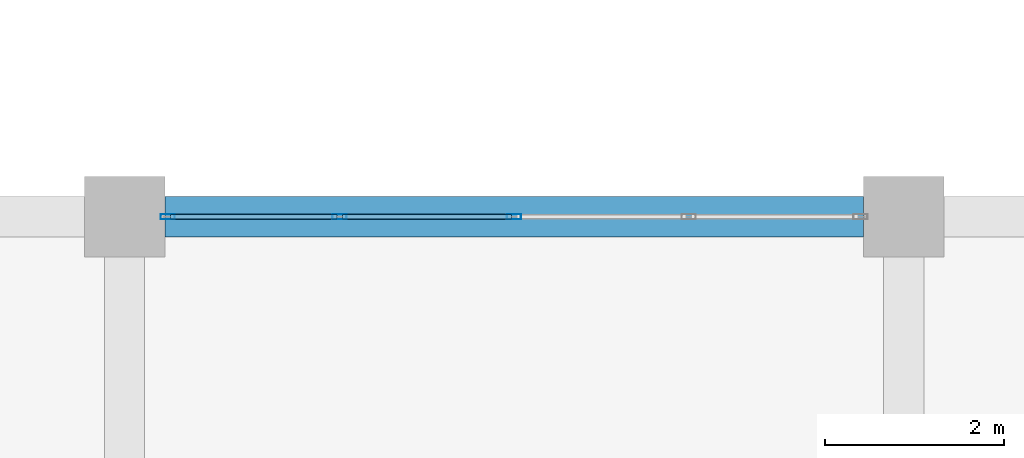
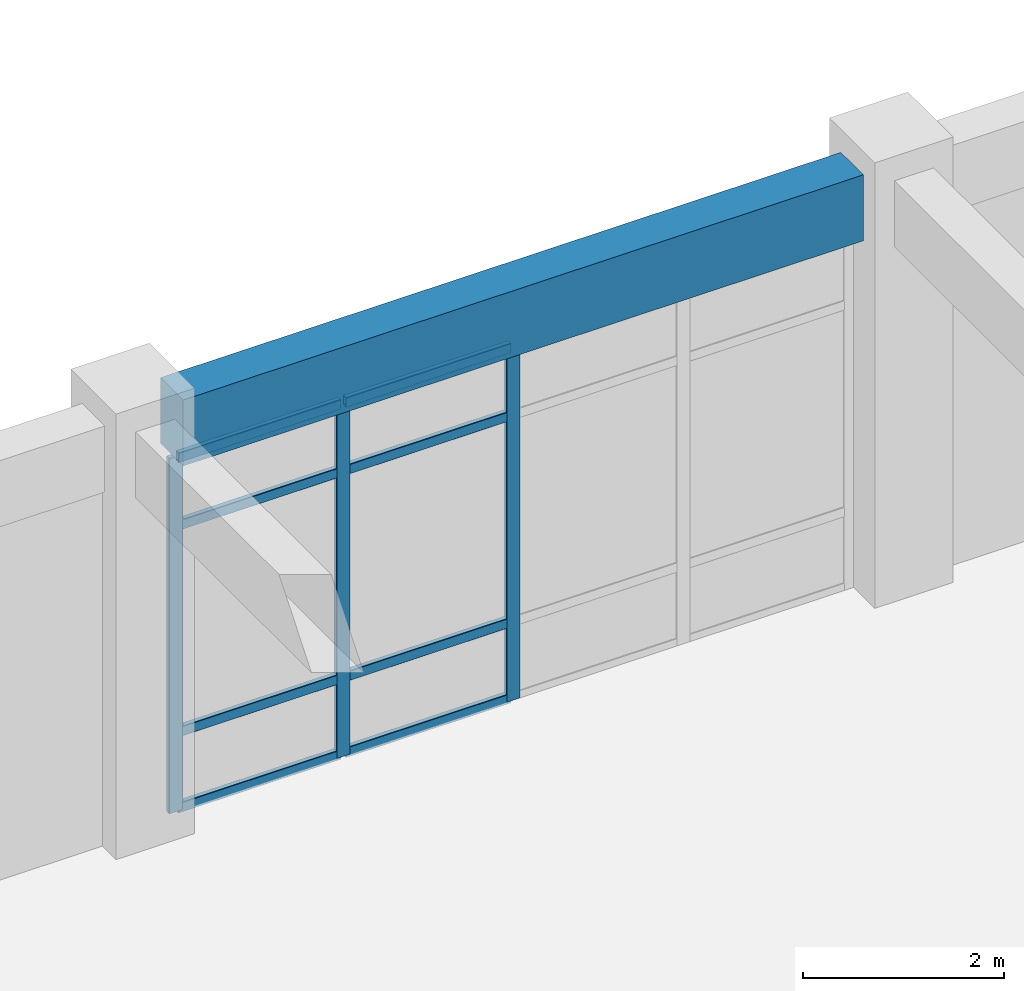
# One storey, part 61 of 114: 11 members, 1 beam, 1 element without a shape of its own.
"""IFC4 building model written with IfcOpenShell, lengths in metres."""

from ifc_helpers import new_model, si_unit, derived_unit, direction, frame, origin, origin_2d, place, context, subcontext, project, spatial, rectangle, hollow_rectangle, extrude, material, layer, layer_set, material_profile, profile_set, type_object, element, aggregate, save


model = new_model("IFC4")

# Units and contexts
model_context = context("Model", 3, precision=1e-05, world=origin(), true_north=direction((0.0, 1.0)))
body_context = subcontext(model_context, "Body", "Model", "MODEL_VIEW")
ifc_project = project(units=[si_unit("LENGTHUNIT", "METRE"), si_unit("AREAUNIT", "SQUARE_METRE"), si_unit("VOLUMEUNIT", "CUBIC_METRE"), si_unit("PLANEANGLEUNIT", "RADIAN"), si_unit("MASSUNIT", "GRAM", prefix="KILO"), derived_unit("THERMALTRANSMITTANCEUNIT", [(si_unit("MASSUNIT", "GRAM", prefix="KILO"), 1), (si_unit("TIMEUNIT", "SECOND"), -3), (si_unit("THERMODYNAMICTEMPERATUREUNIT", "KELVIN"), -1)])], contexts=[model_context])

# Site, building, storey
site_placement = place(None, origin())
site = spatial("IfcSite", under=ifc_project, at=site_placement, CompositionType="ELEMENT")
building_placement = place(site_placement, origin())
building = spatial("IfcBuilding", under=site, at=building_placement, Name="Qinzheling Arcade Emporium", CompositionType="ELEMENT")
storey_placement = place(building_placement, frame((0.0, 0.0, 6.0)))
storey = spatial("IfcBuildingStorey", under=building, at=storey_placement, Name="L02", CompositionType="ELEMENT", Elevation=6.0)

# Curtain wall, members
ifc_material_1 = material(Name="Anodised aluminium and solar-control double glazing", Category="aluminium")
ifc_layer = layer(ifc_material_1, 0.159912109375, Name="Anodised aluminium and solar-control double glazing", Category="aluminium")
ifc_layer_set = layer_set([ifc_layer], Name="Anodised aluminium and solar-control double glazing")
curtain_wall_type = type_object("IfcCurtainWallType", Name="Food Hall Loggia Curtain Wall", PredefinedType="NOTDEFINED", material=ifc_layer_set)
curtain_wall_placement = place(storey_placement, origin())
curtain_wall = element("IfcCurtainWall", 1, at=curtain_wall_placement, inside=storey, type_object=curtain_wall_type, Name="Curtain Wall CW-L02-126", PredefinedType="NOTDEFINED")
ifc_material_2 = material(Name="Anodised aluminium 6063-T6", Category="aluminium")
ifc_material_profile_1 = material_profile(ifc_material_2, hollow_rectangle(XDim=0.06005859375, YDim=0.159912109375, WallThickness=0.00390625, InnerFilletRadius=0.00390625, OuterFilletRadius=0.008056640625, at=origin_2d()), Name="RHS 160x60x4", Category="aluminium")
ifc_profile_set_1 = profile_set([ifc_material_profile_1], Name="Anodised aluminium 6063-T6")
member_type_1 = type_object("IfcMemberType", Name="Curtain Wall Mullion RHS160x60", PredefinedType="MULLION", material=ifc_profile_set_1)
member_1_placement = place(storey_placement, frame((139.681884765625, 33.60009765625, 0.0), z_axis=(0.0, 0.0, 1.0), x_axis=(0.0, 1.0, 0.0)))
member_1 = element("IfcMember", 2, at=member_1_placement, type_object=member_type_1, Name="CW04 mullion 1", PredefinedType="MULLION", context=body_context, shape_type="SweptSolid", body=[
    extrude(hollow_rectangle(XDim=0.06005859375, YDim=0.159912109375, WallThickness=0.00390625, InnerFilletRadius=0.00390625, OuterFilletRadius=0.008056640625, at=origin_2d()), origin(), (0.0, 0.0, 1.0), 4.304931640625),
])
member_2_placement = place(storey_placement, frame((141.60107421875, 33.60009765625, 0.0), z_axis=(0.0, 0.0, 1.0), x_axis=(0.0, 1.0, 0.0)))
member_2 = element("IfcMember", 3, at=member_2_placement, type_object=member_type_1, Name="CW04 mullion 2", PredefinedType="MULLION", context=body_context, shape_type="SweptSolid", body=[
    extrude(hollow_rectangle(XDim=0.06005859375, YDim=0.159912109375, WallThickness=0.00390625, InnerFilletRadius=0.00390625, OuterFilletRadius=0.008056640625, at=origin_2d()), origin(), (0.0, 0.0, 1.0), 4.304931640625),
])
member_3_placement = place(storey_placement, frame((143.550048828125, 33.60009765625, 0.0), z_axis=(0.0, 0.0, 1.0), x_axis=(0.0, 1.0, 0.0)))
member_3 = element("IfcMember", 4, at=member_3_placement, type_object=member_type_1, Name="CW04 mullion 3", PredefinedType="MULLION", context=body_context, shape_type="SweptSolid", body=[
    extrude(hollow_rectangle(XDim=0.06005859375, YDim=0.159912109375, WallThickness=0.00390625, InnerFilletRadius=0.00390625, OuterFilletRadius=0.008056640625, at=origin_2d()), origin(), (0.0, 0.0, 1.0), 4.304931640625),
])
ifc_material_profile_2 = material_profile(ifc_material_2, hollow_rectangle(XDim=0.06005859375, YDim=0.1201171875, WallThickness=0.00390625, InnerFilletRadius=0.00390625, OuterFilletRadius=0.008056640625, at=origin_2d()), Name="RHS 120x60x4", Category="aluminium")
ifc_profile_set_2 = profile_set([ifc_material_profile_2], Name="Anodised aluminium 6063-T6")
member_type_2 = type_object("IfcMemberType", Name="Curtain Wall Transom RHS120x60", PredefinedType="USERDEFINED", material=ifc_profile_set_2)
member_4_placement = place(storey_placement, frame((139.7119140625, 33.60009765625, 0.030029296875), z_axis=(1.0, 0.0, 0.0), x_axis=(0.0, 1.0, 0.0)))
member_4 = element("IfcMember", 5, at=member_4_placement, type_object=member_type_2, Name="CW04 transom 1.1", ObjectType="TRANSOM", PredefinedType="USERDEFINED", context=body_context, shape_type="SweptSolid", body=[
    extrude(hollow_rectangle(XDim=0.06005859375, YDim=0.1201171875, WallThickness=0.00390625, InnerFilletRadius=0.00390625, OuterFilletRadius=0.008056640625, at=origin_2d()), origin(), (0.0, 0.0, 1.0), 1.859130859375),
])
member_5_placement = place(storey_placement, frame((139.7119140625, 33.60009765625, 0.949951171875), z_axis=(1.0, 0.0, 0.0), x_axis=(0.0, 1.0, 0.0)))
member_5 = element("IfcMember", 6, at=member_5_placement, type_object=member_type_2, Name="CW04 transom 1.2", ObjectType="TRANSOM", PredefinedType="USERDEFINED", context=body_context, shape_type="SweptSolid", body=[
    extrude(hollow_rectangle(XDim=0.06005859375, YDim=0.1201171875, WallThickness=0.00390625, InnerFilletRadius=0.00390625, OuterFilletRadius=0.008056640625, at=origin_2d()), origin(), (0.0, 0.0, 1.0), 1.859130859375),
])
member_6_placement = place(storey_placement, frame((139.7119140625, 33.60009765625, 3.455078125), z_axis=(1.0, 0.0, 0.0), x_axis=(0.0, 1.0, 0.0)))
member_6 = element("IfcMember", 7, at=member_6_placement, type_object=member_type_2, Name="CW04 transom 1.3", ObjectType="TRANSOM", PredefinedType="USERDEFINED", context=body_context, shape_type="SweptSolid", body=[
    extrude(hollow_rectangle(XDim=0.06005859375, YDim=0.1201171875, WallThickness=0.00390625, InnerFilletRadius=0.00390625, OuterFilletRadius=0.008056640625, at=origin_2d()), origin(), (0.0, 0.0, 1.0), 1.859130859375),
])
member_7_placement = place(storey_placement, frame((139.7119140625, 33.60009765625, 4.27490234375), z_axis=(1.0, 0.0, 0.0), x_axis=(0.0, 1.0, 0.0)))
member_7 = element("IfcMember", 8, at=member_7_placement, type_object=member_type_2, Name="CW04 transom 1.4", ObjectType="TRANSOM", PredefinedType="USERDEFINED", context=body_context, shape_type="SweptSolid", body=[
    extrude(hollow_rectangle(XDim=0.06005859375, YDim=0.1201171875, WallThickness=0.00390625, InnerFilletRadius=0.00390625, OuterFilletRadius=0.008056640625, at=origin_2d()), origin(), (0.0, 0.0, 1.0), 1.859130859375),
])
member_8_placement = place(storey_placement, frame((141.631103515625, 33.60009765625, 0.030029296875), z_axis=(1.0, 0.0, 0.0), x_axis=(0.0, 1.0, 0.0)))
member_8 = element("IfcMember", 9, at=member_8_placement, type_object=member_type_2, Name="CW04 transom 2.1", ObjectType="TRANSOM", PredefinedType="USERDEFINED", context=body_context, shape_type="SweptSolid", body=[
    extrude(hollow_rectangle(XDim=0.06005859375, YDim=0.1201171875, WallThickness=0.00390625, InnerFilletRadius=0.00390625, OuterFilletRadius=0.008056640625, at=origin_2d()), origin(), (0.0, 0.0, 1.0), 1.888916015625),
])
member_9_placement = place(storey_placement, frame((141.631103515625, 33.60009765625, 0.949951171875), z_axis=(1.0, 0.0, 0.0), x_axis=(0.0, 1.0, 0.0)))
member_9 = element("IfcMember", 10, at=member_9_placement, type_object=member_type_2, Name="CW04 transom 2.2", ObjectType="TRANSOM", PredefinedType="USERDEFINED", context=body_context, shape_type="SweptSolid", body=[
    extrude(hollow_rectangle(XDim=0.06005859375, YDim=0.1201171875, WallThickness=0.00390625, InnerFilletRadius=0.00390625, OuterFilletRadius=0.008056640625, at=origin_2d()), origin(), (0.0, 0.0, 1.0), 1.888916015625),
])
member_10_placement = place(storey_placement, frame((141.631103515625, 33.60009765625, 3.455078125), z_axis=(1.0, 0.0, 0.0), x_axis=(0.0, 1.0, 0.0)))
member_10 = element("IfcMember", 11, at=member_10_placement, type_object=member_type_2, Name="CW04 transom 2.3", ObjectType="TRANSOM", PredefinedType="USERDEFINED", context=body_context, shape_type="SweptSolid", body=[
    extrude(hollow_rectangle(XDim=0.06005859375, YDim=0.1201171875, WallThickness=0.00390625, InnerFilletRadius=0.00390625, OuterFilletRadius=0.008056640625, at=origin_2d()), origin(), (0.0, 0.0, 1.0), 1.888916015625),
])
member_11_placement = place(storey_placement, frame((141.631103515625, 33.60009765625, 4.27490234375), z_axis=(1.0, 0.0, 0.0), x_axis=(0.0, 1.0, 0.0)))
member_11 = element("IfcMember", 12, at=member_11_placement, type_object=member_type_2, Name="CW04 transom 2.4", ObjectType="TRANSOM", PredefinedType="USERDEFINED", context=body_context, shape_type="SweptSolid", body=[
    extrude(hollow_rectangle(XDim=0.06005859375, YDim=0.1201171875, WallThickness=0.00390625, InnerFilletRadius=0.00390625, OuterFilletRadius=0.008056640625, at=origin_2d()), origin(), (0.0, 0.0, 1.0), 1.888916015625),
])
aggregate(curtain_wall, [member_1, member_2, member_3, member_4, member_5, member_6, member_7, member_8, member_9, member_10, member_11])

# Beam
ifc_material_3 = material(Name="Concrete C40", Category="concrete")
ifc_material_profile_3 = material_profile(ifc_material_3, rectangle(XDim=0.449951171875, YDim=0.800048828125, at=origin_2d()), Name="RC 450x800", Category="concrete")
ifc_profile_set_3 = profile_set([ifc_material_profile_3], Name="Concrete C40")
beam_type = type_object("IfcBeamType", Name="RC Primary Frame Beam 450x800 C40", PredefinedType="BEAM", material=ifc_profile_set_3)
beam_placement = place(storey_placement, frame((139.64990234375, 33.60009765625, 4.719970703125), z_axis=(1.0, 0.0, 0.0), x_axis=(0.0, 1.0, 0.0)))
element("IfcBeam", 13, at=beam_placement, inside=storey, type_object=beam_type, Name="Beam BM-L02-X-E-17", PredefinedType="BEAM", context=body_context, shape_type="SweptSolid", body=[
    extrude(rectangle(XDim=0.449951171875, YDim=0.800048828125, at=origin_2d()), origin(), (0.0, 0.0, 1.0), 7.800048828125),
])

save(model, "model.ifc")
